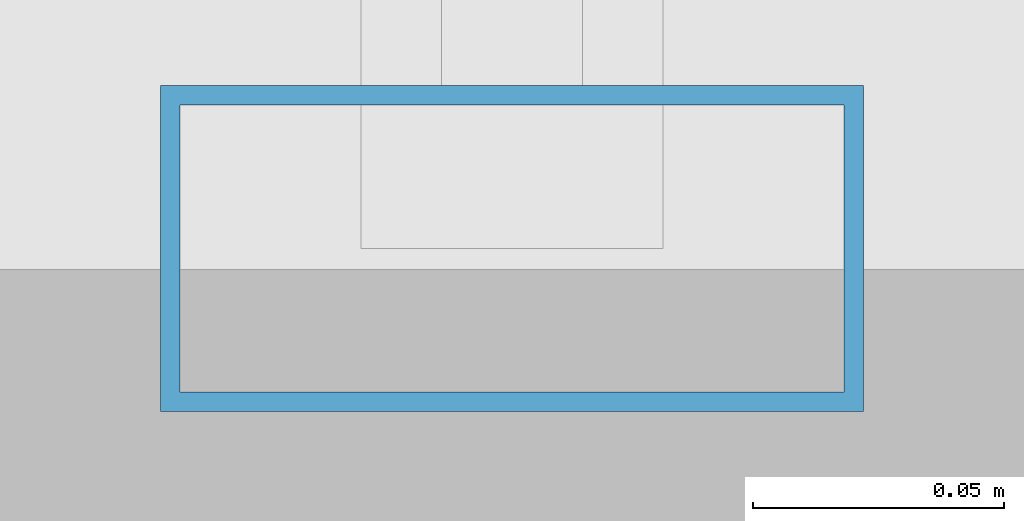
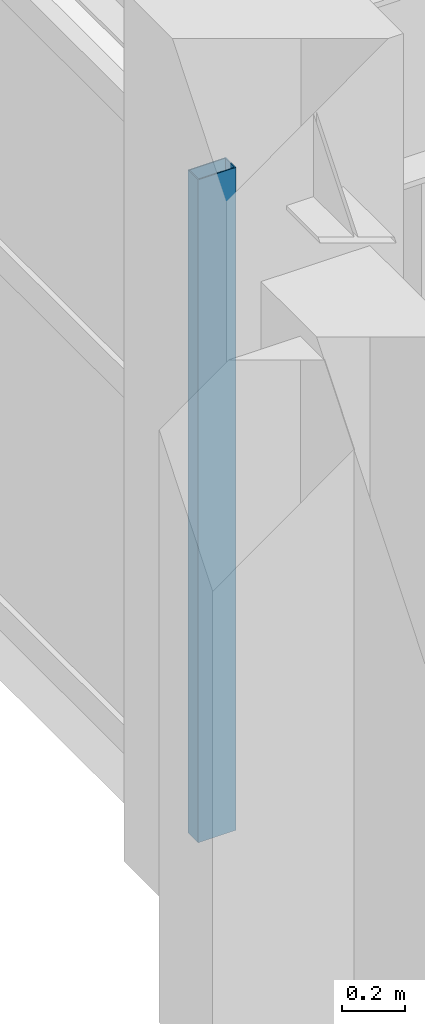
# One storey, part 29 of 93: 1 member, 1 element without a shape of its own.
"""IFC4 building model written with IfcOpenShell, lengths in metres."""

import ifcopenshell
import ifcopenshell.guid

model = None  # the IFC model being written
_history = None  # IfcOwnerHistory: only IFC2X3 demands one
_inside = {}  # id of a spatial element -> (the spatial element, [elements in it])
_under = {}  # id of a project, library or spatial element -> (it, [spatial elements below it])
_declared = {}  # id of a project -> (the project, [libraries it declares])
_typed = {}  # id of a type object -> (the type object, [elements of that type])
_made_of = {}  # id of a material, layer set ... -> (it, [elements and type objects made of it])


def new_model(schema):
    """Start an empty IFC model of exactly this schema.

    Asked for "IFC4X3", IfcOpenShell would pick the latest addendum, in which some entities
    have other attributes; the version numbers below select the first issue.
    IFC2X3 requires an IfcOwnerHistory on every rooted entity: one is made here for all.
    """
    global model, _history
    if schema == "IFC4X3":
        model = ifcopenshell.file(schema_version=(4, 3, 0, 0))
    else:
        model = ifcopenshell.file(schema=schema)
    _inside.clear()
    _under.clear()
    _declared.clear()
    _typed.clear()
    _made_of.clear()
    _history = None
    if model.schema == "IFC2X3":
        org = make("IfcOrganization", Name="unknown")
        user = make(
            "IfcPersonAndOrganization",
            ThePerson=make("IfcPerson", FamilyName="unknown"),
            TheOrganization=org,
        )
        app = make(
            "IfcApplication",
            ApplicationDeveloper=org,
            Version="unknown",
            ApplicationFullName="unknown",
            ApplicationIdentifier="unknown",
        )
        _history = make(
            "IfcOwnerHistory",
            OwningUser=user,
            OwningApplication=app,
            ChangeAction="ADDED",
            CreationDate=0,
        )
    return model


def make(cls, **values):
    """One entity of the class cls with the attributes given. An attribute that is None is left unset."""
    return model.create_entity(
        cls, **{name: value for name, value in values.items() if value is not None}
    )


def rooted(cls, **values):
    """An entity with a GlobalId (a new one), such as an element, a storey or a relation."""
    return make(cls, GlobalId=ifcopenshell.guid.new(), OwnerHistory=_history, **values)


def si_unit(unit_type, name, prefix=None):
    """IfcSIUnit, for example si_unit("LENGTHUNIT", "METRE", prefix="MILLI")."""
    return make("IfcSIUnit", UnitType=unit_type, Prefix=prefix, Name=name)


def assignment(units):
    """IfcUnitAssignment: the units of a project."""
    return None if units is None else make("IfcUnitAssignment", Units=units)


def point(xyz):
    """IfcCartesianPoint."""
    return None if xyz is None else make("IfcCartesianPoint", Coordinates=xyz)


def direction(xyz):
    """IfcDirection."""
    return None if xyz is None else make("IfcDirection", DirectionRatios=xyz)


def frame(location, z_axis=None, x_axis=None):
    """IfcAxis2Placement3D, a coordinate frame: its origin and axes. An axis left out is left unset."""
    return make(
        "IfcAxis2Placement3D",
        Location=point(location),
        Axis=direction(z_axis),
        RefDirection=direction(x_axis),
    )


def frame_2d(location, x_axis=None):
    """IfcAxis2Placement2D, a coordinate frame in the plane: its origin and x axis."""
    return make(
        "IfcAxis2Placement2D", Location=point(location), RefDirection=direction(x_axis)
    )


def origin():
    """The frame at (0, 0, 0) with its axes left unset."""
    return frame((0.0, 0.0, 0.0))


def origin_2d():
    """The frame at (0, 0) in the plane with its x axis left unset."""
    return frame_2d((0.0, 0.0))


def place(relative_to, where):
    """IfcLocalPlacement: puts the frame where relative to a parent placement (None: the world)."""
    return make(
        "IfcLocalPlacement", PlacementRelTo=relative_to, RelativePlacement=where
    )


def context(
    kind, dimensions, precision=None, world=None, true_north=None, identifier=None
):
    """IfcGeometricRepresentationContext, for example the 3D "Model" context."""
    return make(
        "IfcGeometricRepresentationContext",
        ContextIdentifier=identifier,
        ContextType=kind,
        CoordinateSpaceDimension=dimensions,
        Precision=precision,
        WorldCoordinateSystem=world,
        TrueNorth=true_north,
    )


def subcontext(parent, identifier, kind, view, scale=None):
    """IfcGeometricRepresentationSubContext, for example "Body" below "Model"."""
    return make(
        "IfcGeometricRepresentationSubContext",
        ContextIdentifier=identifier,
        ContextType=kind,
        ParentContext=parent,
        TargetScale=scale,
        TargetView=view,
    )


def project(units=None, contexts=None):
    """IfcProject with its units and contexts."""
    return rooted(
        "IfcProject",
        Name="project",
        RepresentationContexts=contexts,
        UnitsInContext=assignment(units),
    )


def spatial(cls, under=None, at=None, **own):
    """A site, building, storey or space (cls), placed at a placement, below another one or the project."""
    s = rooted(cls, ObjectPlacement=at, **own)
    if under is not None:
        _under.setdefault(under.id(), (under, []))[1].append(s)
    return s


def profile(cls, at=None, kind="AREA", **sizes):
    """A parametric profile (cls). Its sizes go by their IFC names, for example OverallWidth=200.0."""
    return make(cls, ProfileType=kind, Position=at, **sizes)


def hollow_rectangle(**sizes):
    """IfcRectangleHollowProfileDef."""
    return profile("IfcRectangleHollowProfileDef", **sizes)


def extrude(swept, where, along, depth):
    """IfcExtrudedAreaSolid: the profile swept, set in the frame where, extruded along a direction by depth."""
    return make(
        "IfcExtrudedAreaSolid",
        SweptArea=swept,
        Position=where,
        ExtrudedDirection=direction(along),
        Depth=depth,
    )


def shape(context_of_items, identifier, shape_type, items):
    """IfcShapeRepresentation: the items that make up one representation, for example the "Body"."""
    return make(
        "IfcShapeRepresentation",
        ContextOfItems=context_of_items,
        RepresentationIdentifier=identifier,
        RepresentationType=shape_type,
        Items=items,
    )


def material(Name=None, Category=None):
    """IfcMaterial."""
    return make("IfcMaterial", Name=Name, Category=Category)


def material_profile(
    of_material, cross_section, Name=None, Category=None, Priority=None
):
    """IfcMaterialProfile: a cross section and its material."""
    return make(
        "IfcMaterialProfile",
        Name=Name,
        Material=of_material,
        Profile=cross_section,
        Priority=Priority,
        Category=Category,
    )


def profile_set(profiles, Name=None, composite=None):
    """IfcMaterialProfileSet."""
    return make(
        "IfcMaterialProfileSet",
        Name=Name,
        MaterialProfiles=profiles,
        CompositeProfile=composite,
    )


def made_of(thing, what):
    """Note that an element or type object is made of a material, layer set ...; save() writes the relation."""
    if what is not None:
        _made_of.setdefault(what.id(), (what, []))[1].append(thing)
    return thing


def type_object(cls, material=None, **own):
    """A type object (cls), such as IfcWallType, which elements share."""
    return made_of(rooted(cls, **own), material)


def element(
    cls,
    number,
    at=None,
    inside=None,
    cuts=None,
    type_object=None,
    material=None,
    context=None,
    identifier="Body",
    shape_type=None,
    held_by="IfcProductDefinitionShape",
    body=None,
    shapes=None,
    **own,
):
    """One element of the class cls, such as IfcWall. Its Tag is "e" and its number.

    at: its placement. inside: the storey or other place that contains it. cuts: it is an
    opening in that element (IfcRelVoidsElement). A single representation is given by context,
    identifier, shape_type and body (its items); several are given by shapes. held_by: the class
    of the entity that holds the representations. save() writes the other relations.
    """
    e = rooted(cls, Tag="e%d" % number, ObjectPlacement=at, **own)
    if body is not None:
        shapes = [shape(context, identifier, shape_type, body)]
    if shapes is not None:
        e.Representation = make(held_by, Representations=shapes)
    if inside is not None:
        _inside.setdefault(inside.id(), (inside, []))[1].append(e)
    if cuts is not None:
        rooted(
            "IfcRelVoidsElement", RelatingBuildingElement=cuts, RelatedOpeningElement=e
        )
    if type_object is not None:
        _typed.setdefault(type_object.id(), (type_object, []))[1].append(e)
    return made_of(e, material)


def aggregate(whole, parts):
    """IfcRelAggregates: a whole, such as a stair, and the parts it consists of."""
    return rooted("IfcRelAggregates", RelatingObject=whole, RelatedObjects=parts)


def save(model, path):
    """Write the relations noted so far, then the file.

    IfcRelAggregates (storeys below a building ...), IfcRelContainedInSpatialStructure (elements
    in a storey), IfcRelDefinesByType, IfcRelAssociatesMaterial and IfcRelDeclares: one each for
    every whole, place, type object, material and project.
    """
    for whole, parts in _under.values():
        aggregate(whole, parts)
    for where, things in _inside.values():
        rooted(
            "IfcRelContainedInSpatialStructure",
            RelatedElements=things,
            RelatingStructure=where,
        )
    for kind, things in _typed.values():
        rooted("IfcRelDefinesByType", RelatedObjects=things, RelatingType=kind)
    for what, things in _made_of.values():
        rooted("IfcRelAssociatesMaterial", RelatedObjects=things, RelatingMaterial=what)
    for by, libraries in _declared.values():
        rooted("IfcRelDeclares", RelatingContext=by, RelatedDefinitions=libraries)
    model.write(path)


model = new_model("IFC4")

# Units and contexts
model_context = context("Model", 3, precision=1e-05, world=origin(), true_north=direction((0.0, 1.0)))
body_context = subcontext(model_context, "Body", "Model", "MODEL_VIEW")
ifc_project = project(units=[si_unit("LENGTHUNIT", "METRE"), si_unit("AREAUNIT", "SQUARE_METRE"), si_unit("VOLUMEUNIT", "CUBIC_METRE"), si_unit("PLANEANGLEUNIT", "RADIAN"), si_unit("MASSUNIT", "GRAM", prefix="KILO")], contexts=[model_context])

# Site, building, storey
site_placement = place(None, origin())
site = spatial("IfcSite", under=ifc_project, at=site_placement, CompositionType="ELEMENT")
building_placement = place(site_placement, origin())
building = spatial("IfcBuilding", under=site, at=building_placement, Name="Cimatlan Art Gallery", CompositionType="ELEMENT")
storey_placement = place(building_placement, frame((0.0, 0.0, 13.800048828125)))
storey = spatial("IfcBuildingStorey", under=building, at=storey_placement, Name="L03", CompositionType="ELEMENT", Elevation=13.800048828125)

# Curtain wall, member
ifc_material_1 = material(Name="Anodised bronze unitised curtain wall")
curtain_wall_type = type_object("IfcCurtainWallType", Name="CW-V-06742X02573-B3", PredefinedType="NOTDEFINED", material=ifc_material_1)
curtain_wall_placement = place(storey_placement, origin())
curtain_wall = element("IfcCurtainWall", 1, at=curtain_wall_placement, inside=storey, type_object=curtain_wall_type, Name="CW-L03-09-05-W", PredefinedType="NOTDEFINED")
ifc_material_2 = material(Name="Anodised bronze aluminium 6063-T6", Category="aluminium")
ifc_material_profile = material_profile(ifc_material_2, hollow_rectangle(XDim=0.06494140625, YDim=0.139892578125, WallThickness=0.00390625, at=origin_2d()), Name="ALU65X140X4")
ifc_profile_set = profile_set([ifc_material_profile], Name="Anodised bronze aluminium 6063-T6")
member_type = type_object("IfcMemberType", Name="CW-MUL-140", PredefinedType="MULLION", material=ifc_profile_set)
member_placement = place(storey_placement, frame((74.89990234375, 39.029052734375, 0.0), z_axis=(0.0, 0.0, 1.0), x_axis=(0.0, 1.0, 0.0)))
member = element("IfcMember", 2, at=member_placement, type_object=member_type, Name="CW-L03-09-05-W-M1", PredefinedType="MULLION", context=body_context, shape_type="SweptSolid", body=[
    extrude(hollow_rectangle(XDim=0.06494140625, YDim=0.139892578125, WallThickness=0.00390625, at=origin_2d()), origin(), (0.0, 0.0, 1.0), 2.572998046875),
])
aggregate(curtain_wall, [member])

save(model, "model.ifc")
